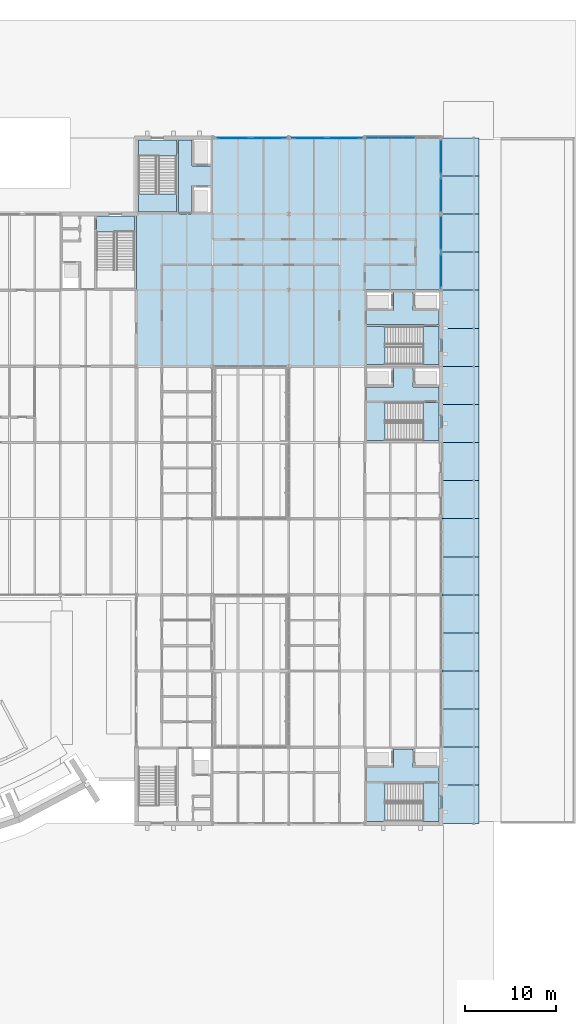
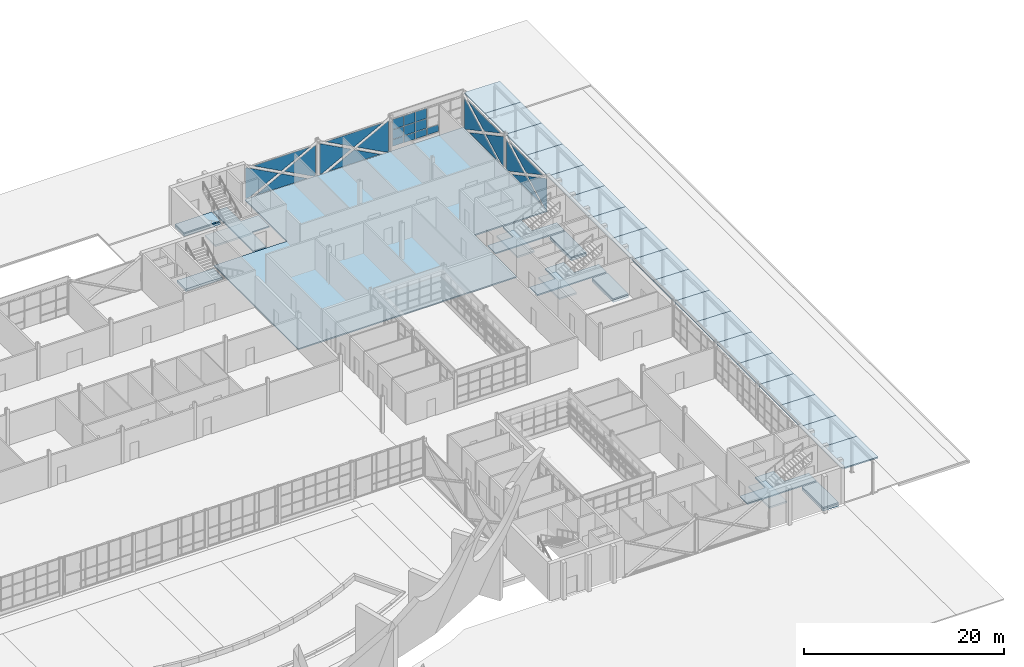
# One storey, part 80 of 116: 36 slabs, 26 plates, 9 elements without a shape of their own.
"""IFC4 building model written with IfcOpenShell, lengths in metres."""

from ifc_helpers import new_model, si_unit, direction, frame, origin, origin_2d, place, context, subcontext, project, spatial, polyline, rectangle, outline, extrude, material, layer, layer_set, type_object, element, aggregate, save


model = new_model("IFC4")

# Units and contexts
model_context = context("Model", 3, precision=1e-05, world=origin(), true_north=direction((0.0, 1.0)))
body_context = subcontext(model_context, "Body", "Model", "MODEL_VIEW")
ifc_project = project(units=[si_unit("LENGTHUNIT", "METRE"), si_unit("AREAUNIT", "SQUARE_METRE"), si_unit("VOLUMEUNIT", "CUBIC_METRE"), si_unit("PLANEANGLEUNIT", "RADIAN"), si_unit("MASSUNIT", "GRAM", prefix="KILO")], contexts=[model_context])

# Site, building, storey
site_placement = place(None, origin())
site = spatial("IfcSite", under=ifc_project, at=site_placement, CompositionType="ELEMENT")
building_placement = place(site_placement, origin())
building = spatial("IfcBuilding", under=site, at=building_placement, Name="Ardhachandra Cancer Care Centre", CompositionType="ELEMENT")
storey_placement = place(building_placement, origin())
storey = spatial("IfcBuildingStorey", under=building, at=storey_placement, Name="L00", CompositionType="ELEMENT", Elevation=0.0)

# Slabs
ifc_material_1 = material(Name="Concrete M30", Category="concrete")
ifc_layer_1 = layer(ifc_material_1, 0.14990234375)
ifc_layer_set_1 = layer_set([ifc_layer_1], Name="Concrete M30")
slab_type_1 = type_object("IfcSlabType", Name="Arcade roof deck 150", PredefinedType="ROOF", material=ifc_layer_set_1)
slab_1_placement = place(storey_placement, frame((145.300048828125, 29.39990234375, 4.2021484375), z_axis=(0.016671296778, 0.0, 0.999861024275), x_axis=(0.999861024275, 0.0, -0.016671296778)))
element("IfcSlab", 1, at=slab_1_placement, inside=storey, type_object=slab_type_1, Name="Arcade roof deck 1", PredefinedType="ROOF", context=body_context, shape_type="SweptSolid", body=[
    extrude(outline(polyline([(0.0, 0.0), (4.100423374937406, 0.0), (4.100423374937406, 4.2001953125), (0.0, 4.2001953125), (0.0, 0.0)])), origin(), (0.0, 0.0, -1.0), 0.14990234375),
])
for number, where, z_axis, x_axis, name in (
    (2, (145.300048828125, 33.60009765625, 4.2021484375), (0.016671296778, 0.0, 0.999861024275), (0.999861024275, 0.0, -0.016671296778), "Arcade roof deck 2"),
    (3, (145.300048828125, 37.800048828125, 4.2021484375), (0.016671296778, 0.0, 0.999861024275), (0.999861024275, 0.0, -0.016671296778), "Arcade roof deck 3"),
    (4, (145.300048828125, 42.0, 4.2021484375), (0.016671296778, 0.0, 0.999861024275), (0.999861024275, 0.0, -0.016671296778), "Arcade roof deck 4"),
    (5, (145.300048828125, 46.199951171875, 4.2021484375), (0.016671296778, 0.0, 0.999861024275), (0.999861024275, 0.0, -0.016671296778), "Arcade roof deck 5"),
):
    element("IfcSlab", number, at=place(storey_placement, frame(where, z_axis=z_axis, x_axis=x_axis)), inside=storey, type_object=slab_type_1, Name=name, PredefinedType="ROOF", context=body_context, shape_type="SweptSolid", body=[
        extrude(outline(polyline([(0.0, 0.0), (4.100423374937406, 0.0), (4.100423374937406, 4.199951171874999), (0.0, 4.199951171874999), (0.0, 0.0)])), origin(), (0.0, 0.0, -1.0), 0.14990234375),
    ])
slab_2_placement = place(storey_placement, frame((145.300048828125, 50.39990234375, 4.2021484375), z_axis=(0.016671296778, 0.0, 0.999861024275), x_axis=(0.999861024275, 0.0, -0.016671296778)))
element("IfcSlab", 6, at=slab_2_placement, inside=storey, type_object=slab_type_1, Name="Arcade roof deck 6", PredefinedType="ROOF", context=body_context, shape_type="SweptSolid", body=[
    extrude(outline(polyline([(0.0, 0.0), (4.100423374937406, 0.0), (4.100423374937406, 4.2001953125), (0.0, 4.2001953125), (0.0, 0.0)])), origin(), (0.0, 0.0, -1.0), 0.14990234375),
])
for number, where, z_axis, x_axis, name in (
    (7, (145.300048828125, 54.60009765625, 4.2021484375), (0.016671296778, 0.0, 0.999861024275), (0.999861024275, 0.0, -0.016671296778), "Arcade roof deck 7"),
    (8, (145.300048828125, 58.800048828125, 4.2021484375), (0.016671296778, 0.0, 0.999861024275), (0.999861024275, 0.0, -0.016671296778), "Arcade roof deck 8"),
    (9, (145.300048828125, 63.0, 4.2021484375), (0.016671296778, 0.0, 0.999861024275), (0.999861024275, 0.0, -0.016671296778), "Arcade roof deck 9"),
    (10, (145.300048828125, 67.199951171875, 4.2021484375), (0.016671296778, 0.0, 0.999861024275), (0.999861024275, 0.0, -0.016671296778), "Arcade roof deck 10"),
):
    element("IfcSlab", number, at=place(storey_placement, frame(where, z_axis=z_axis, x_axis=x_axis)), inside=storey, type_object=slab_type_1, Name=name, PredefinedType="ROOF", context=body_context, shape_type="SweptSolid", body=[
        extrude(outline(polyline([(0.0, 0.0), (4.100423374937406, 0.0), (4.100423374937406, 4.199951171874999), (0.0, 4.199951171874999), (0.0, 0.0)])), origin(), (0.0, 0.0, -1.0), 0.14990234375),
    ])
slab_3_placement = place(storey_placement, frame((145.300048828125, 71.39990234375, 4.2021484375), z_axis=(0.016671296778, 0.0, 0.999861024275), x_axis=(0.999861024275, 0.0, -0.016671296778)))
element("IfcSlab", 11, at=slab_3_placement, inside=storey, type_object=slab_type_1, Name="Arcade roof deck 11", PredefinedType="ROOF", context=body_context, shape_type="SweptSolid", body=[
    extrude(outline(polyline([(0.0, 0.0), (4.100423374937406, 0.0), (4.100423374937406, 4.2001953125), (0.0, 4.2001953125), (0.0, 0.0)])), origin(), (0.0, 0.0, -1.0), 0.14990234375),
])
for number, where, z_axis, x_axis, name in (
    (12, (145.300048828125, 75.60009765625, 4.2021484375), (0.016671296778, 0.0, 0.999861024275), (0.999861024275, 0.0, -0.016671296778), "Arcade roof deck 12"),
    (13, (145.300048828125, 79.800048828125, 4.2021484375), (0.016671296778, 0.0, 0.999861024275), (0.999861024275, 0.0, -0.016671296778), "Arcade roof deck 13"),
    (14, (145.300048828125, 84.0, 4.2021484375), (0.016671296778, 0.0, 0.999861024275), (0.999861024275, 0.0, -0.016671296778), "Arcade roof deck 14"),
    (15, (145.300048828125, 88.199951171875, 4.2021484375), (0.016671296778, 0.0, 0.999861024275), (0.999861024275, 0.0, -0.016671296778), "Arcade roof deck 15"),
):
    element("IfcSlab", number, at=place(storey_placement, frame(where, z_axis=z_axis, x_axis=x_axis)), inside=storey, type_object=slab_type_1, Name=name, PredefinedType="ROOF", context=body_context, shape_type="SweptSolid", body=[
        extrude(outline(polyline([(0.0, 0.0), (4.100423374937406, 0.0), (4.100423374937406, 4.199951171874999), (0.0, 4.199951171874999), (0.0, 0.0)])), origin(), (0.0, 0.0, -1.0), 0.14990234375),
    ])
slab_4_placement = place(storey_placement, frame((145.300048828125, 92.39990234375, 4.2021484375), z_axis=(0.016671296778, 0.0, 0.999861024275), x_axis=(0.999861024275, 0.0, -0.016671296778)))
element("IfcSlab", 16, at=slab_4_placement, inside=storey, type_object=slab_type_1, Name="Arcade roof deck 16", PredefinedType="ROOF", context=body_context, shape_type="SweptSolid", body=[
    extrude(outline(polyline([(0.0, 0.0), (4.100423374937406, 0.0), (4.100423374937406, 4.2001953125), (0.0, 4.2001953125), (0.0, 0.0)])), origin(), (0.0, 0.0, -1.0), 0.14990234375),
])
for number, where, z_axis, x_axis, name in (
    (17, (145.300048828125, 96.60009765625, 4.2021484375), (0.016671296778, 0.0, 0.999861024275), (0.999861024275, 0.0, -0.016671296778), "Arcade roof deck 17"),
    (18, (145.300048828125, 100.800048828125, 4.2021484375), (0.016671296778, 0.0, 0.999861024275), (0.999861024275, 0.0, -0.016671296778), "Arcade roof deck 18"),
):
    element("IfcSlab", number, at=place(storey_placement, frame(where, z_axis=z_axis, x_axis=x_axis)), inside=storey, type_object=slab_type_1, Name=name, PredefinedType="ROOF", context=body_context, shape_type="SweptSolid", body=[
        extrude(outline(polyline([(0.0, 0.0), (4.100423374937406, 0.0), (4.100423374937406, 4.199951171874999), (0.0, 4.199951171874999), (0.0, 0.0)])), origin(), (0.0, 0.0, -1.0), 0.14990234375),
    ])
ifc_material_2 = material(Name="Composite slab Concrete M30 on steel deck", Category="concrete")
ifc_layer_2 = layer(ifc_material_2, 0.14990234375)
ifc_layer_set_2 = layer_set([ifc_layer_2], Name="Composite slab Concrete M30 on steel deck")
slab_type_2 = type_object("IfcSlabType", Name="Composite floor slab 150", PredefinedType="FLOOR", material=ifc_layer_set_2)
slab_5_placement = place(storey_placement, frame((0.0, 0.0, -0.14990234375)))
element("IfcSlab", 19, at=slab_5_placement, inside=storey, type_object=slab_type_2, Name="Floor slab V5", PredefinedType="FLOOR", context=body_context, shape_type="SweptSolid", body=[
    extrude(outline(polyline([(120.0, 105.0), (120.0, 96.60009765625), (111.60009765625, 96.60009765625), (111.60009765625, 88.199951171875), (111.60009765625, 79.800048828125), (136.800048828125, 79.800048828125), (136.800048828125, 88.199951171875), (145.199951171875, 88.199951171875), (145.199951171875, 105.0), (120.0, 105.0)])), origin(), (0.0, 0.0, 1.0), 0.14990234375),
])
ifc_material_3 = material(Name="Concrete M40", Category="concrete")
ifc_layer_3 = layer(ifc_material_3, 0.14990234375)
ifc_layer_set_3 = layer_set([ifc_layer_3], Name="Concrete M40")
slab_type_3 = type_object("IfcSlabType", Name="Core floor slab 150", PredefinedType="FLOOR", material=ifc_layer_set_3)
slab_6_placement = place(storey_placement, frame((0.0, 0.0, -0.14990234375)))
element("IfcSlab", 20, at=slab_6_placement, inside=storey, type_object=slab_type_3, Name="Core floor slab K9 L00 1", PredefinedType="FLOOR", context=body_context, shape_type="SweptSolid", body=[
    extrude(outline(polyline([(143.199951171875, 29.625), (143.199951171875, 33.824951171875), (144.97509765625, 33.824951171875), (144.97509765625, 29.625), (143.199951171875, 29.625)])), origin(), (0.0, 0.0, 1.0), 0.14990234375),
])
slab_7_placement = place(storey_placement, frame((0.0, 0.0, -0.14990234375)))
element("IfcSlab", 21, at=slab_7_placement, inside=storey, type_object=slab_type_3, Name="Core floor slab K9 L00 2", PredefinedType="FLOOR", context=body_context, shape_type="SweptSolid", body=[
    extrude(outline(polyline([(137.0, 35.550048828125), (139.949951171875, 35.550048828125), (139.949951171875, 35.75), (139.949951171875, 37.60009765625), (142.125, 37.60009765625), (142.125, 35.75), (142.125, 35.550048828125), (144.97509765625, 35.550048828125), (144.97509765625, 34.02490234375), (137.0, 34.02490234375), (137.0, 35.550048828125)])), origin(), (0.0, 0.0, 1.0), 0.14990234375),
])
slab_8_placement = place(storey_placement, frame((0.0, 0.0, -0.14990234375)))
element("IfcSlab", 22, at=slab_8_placement, inside=storey, type_object=slab_type_3, Name="Core floor slab K10 L00 1", PredefinedType="FLOOR", context=body_context, shape_type="SweptSolid", body=[
    extrude(outline(polyline([(143.199951171875, 71.60009765625), (143.199951171875, 75.800048828125), (144.97509765625, 75.800048828125), (144.97509765625, 71.60009765625), (143.199951171875, 71.60009765625)])), origin(), (0.0, 0.0, 1.0), 0.14990234375),
])
slab_9_placement = place(storey_placement, frame((0.0, 0.0, -0.14990234375)))
element("IfcSlab", 23, at=slab_9_placement, inside=storey, type_object=slab_type_3, Name="Core floor slab K10 L00 2", PredefinedType="FLOOR", context=body_context, shape_type="SweptSolid", body=[
    extrude(outline(polyline([(137.0, 77.550048828125), (139.949951171875, 77.550048828125), (139.949951171875, 77.75), (139.949951171875, 79.60009765625), (142.125, 79.60009765625), (142.125, 77.75), (142.125, 77.550048828125), (144.97509765625, 77.550048828125), (144.97509765625, 76.0), (137.0, 76.0), (137.0, 77.550048828125)])), origin(), (0.0, 0.0, 1.0), 0.14990234375),
])
slab_10_placement = place(storey_placement, frame((0.0, 0.0, -0.14990234375)))
element("IfcSlab", 24, at=slab_10_placement, inside=storey, type_object=slab_type_3, Name="Core floor slab K12 L00 1", PredefinedType="FLOOR", context=body_context, shape_type="SweptSolid", body=[
    extrude(outline(polyline([(116.02490234375, 104.77490234375), (116.02490234375, 103.0), (111.824951171875, 103.0), (111.824951171875, 104.77490234375), (116.02490234375, 104.77490234375)])), origin(), (0.0, 0.0, 1.0), 0.14990234375),
])
slab_11_placement = place(storey_placement, frame((0.0, 0.0, -0.14990234375)))
element("IfcSlab", 25, at=slab_11_placement, inside=storey, type_object=slab_type_3, Name="Core floor slab K12 L00 2", PredefinedType="FLOOR", context=body_context, shape_type="SweptSolid", body=[
    extrude(outline(polyline([(117.75, 101.925048828125), (117.949951171875, 101.925048828125), (119.800048828125, 101.925048828125), (119.800048828125, 99.75), (117.949951171875, 99.75), (117.75, 99.75), (117.75, 96.800048828125), (116.22509765625, 96.800048828125), (116.22509765625, 104.77490234375), (117.75, 104.77490234375), (117.75, 101.925048828125)])), origin(), (0.0, 0.0, 1.0), 0.14990234375),
])
slab_12_placement = place(storey_placement, frame((0.0, 0.0, -0.14990234375)))
element("IfcSlab", 26, at=slab_12_placement, inside=storey, type_object=slab_type_3, Name="Core floor slab K13 L00 1", PredefinedType="FLOOR", context=body_context, shape_type="SweptSolid", body=[
    extrude(outline(polyline([(143.199951171875, 80.0), (143.199951171875, 84.199951171875), (144.97509765625, 84.199951171875), (144.97509765625, 80.0), (143.199951171875, 80.0)])), origin(), (0.0, 0.0, 1.0), 0.14990234375),
])
slab_13_placement = place(storey_placement, frame((0.0, 0.0, -0.14990234375)))
element("IfcSlab", 27, at=slab_13_placement, inside=storey, type_object=slab_type_3, Name="Core floor slab K13 L00 2", PredefinedType="FLOOR", context=body_context, shape_type="SweptSolid", body=[
    extrude(outline(polyline([(137.0, 85.949951171875), (139.949951171875, 85.949951171875), (139.949951171875, 86.14990234375), (139.949951171875, 88.0), (142.125, 88.0), (142.125, 86.14990234375), (142.125, 85.949951171875), (144.97509765625, 85.949951171875), (144.97509765625, 84.39990234375), (137.0, 84.39990234375), (137.0, 85.949951171875)])), origin(), (0.0, 0.0, 1.0), 0.14990234375),
])
ifc_material_4 = material(Name="Concrete M40", Category="concrete")
ifc_layer_4 = layer(ifc_material_4, 0.300048828125)
ifc_layer_set_4 = layer_set([ifc_layer_4], Name="Concrete M40")
slab_type_4 = type_object("IfcSlabType", Name="Core stair edge slab 300", PredefinedType="FLOOR", material=ifc_layer_set_4)
slab_14_placement = place(storey_placement, frame((0.0, 0.0, -0.449951171875)))
element("IfcSlab", 28, at=slab_14_placement, inside=storey, type_object=slab_type_4, Name="Core stair edge slab K7 L00", PredefinedType="FLOOR", context=body_context, shape_type="SweptSolid", body=[
    extrude(outline(polyline([(107.199951171875, 94.60009765625), (107.199951171875, 96.375), (111.39990234375, 96.375), (111.39990234375, 94.60009765625), (107.199951171875, 94.60009765625)])), origin(), (0.0, 0.0, 1.0), 0.300048828125),
])
slab_15_placement = place(storey_placement, frame((0.0, 0.0, -0.449951171875)))
element("IfcSlab", 29, at=slab_15_placement, inside=storey, type_object=slab_type_4, Name="Core stair edge slab K9 L00", PredefinedType="FLOOR", context=body_context, shape_type="SweptSolid", body=[
    extrude(outline(polyline([(143.199951171875, 33.824951171875), (144.97509765625, 33.824951171875), (144.97509765625, 29.625), (143.199951171875, 29.625), (143.199951171875, 33.824951171875)])), origin(), (0.0, 0.0, 1.0), 0.300048828125),
])
slab_16_placement = place(storey_placement, frame((0.0, 0.0, -0.449951171875)))
element("IfcSlab", 30, at=slab_16_placement, inside=storey, type_object=slab_type_4, Name="Core stair edge slab K10 L00", PredefinedType="FLOOR", context=body_context, shape_type="SweptSolid", body=[
    extrude(outline(polyline([(143.199951171875, 75.800048828125), (144.97509765625, 75.800048828125), (144.97509765625, 71.60009765625), (143.199951171875, 71.60009765625), (143.199951171875, 75.800048828125)])), origin(), (0.0, 0.0, 1.0), 0.300048828125),
])
slab_17_placement = place(storey_placement, frame((0.0, 0.0, -0.449951171875)))
element("IfcSlab", 31, at=slab_17_placement, inside=storey, type_object=slab_type_4, Name="Core stair edge slab K12 L00", PredefinedType="FLOOR", context=body_context, shape_type="SweptSolid", body=[
    extrude(outline(polyline([(111.824951171875, 104.77490234375), (116.02490234375, 104.77490234375), (116.02490234375, 103.0), (111.824951171875, 103.0), (111.824951171875, 104.77490234375)])), origin(), (0.0, 0.0, 1.0), 0.300048828125),
])
slab_18_placement = place(storey_placement, frame((0.0, 0.0, -0.449951171875)))
element("IfcSlab", 32, at=slab_18_placement, inside=storey, type_object=slab_type_4, Name="Core stair edge slab K13 L00", PredefinedType="FLOOR", context=body_context, shape_type="SweptSolid", body=[
    extrude(outline(polyline([(143.199951171875, 84.199951171875), (144.97509765625, 84.199951171875), (144.97509765625, 80.0), (143.199951171875, 80.0), (143.199951171875, 84.199951171875)])), origin(), (0.0, 0.0, 1.0), 0.300048828125),
])

# Curtain wall, plates
ifc_material_5 = material(Name="Aluminium extrusion", Category="aluminium")
ifc_layer_5 = layer(ifc_material_5, 0.14990234375)
ifc_layer_set_5 = layer_set([ifc_layer_5], Name="Aluminium extrusion")
curtain_wall_type = type_object("IfcCurtainWallType", Name="Curtain wall run", PredefinedType="NOTDEFINED", material=ifc_layer_set_5)
curtain_wall_1_placement = place(storey_placement, origin())
curtain_wall_1 = element("IfcCurtainWall", 33, at=curtain_wall_1_placement, inside=storey, type_object=curtain_wall_type, Name="Curtain wall L00 e/0145200_0088200", PredefinedType="NOTDEFINED")
ifc_material_6 = material(Name="Low-iron double-glazed unit")
ifc_layer_6 = layer(ifc_material_6, 0.028076171875)
ifc_layer_set_6 = layer_set([ifc_layer_6], Name="Low-iron double-glazed unit")
plate_type_1 = type_object("IfcPlateType", Name="Curtain wall glazing 28", PredefinedType="CURTAIN_PANEL", material=ifc_layer_set_6)
plate_1_placement = place(storey_placement, frame((145.199951171875, 96.35791015625, 0.06005859375), z_axis=(-1.0, 0.0, 0.0), x_axis=(0.0, -1.0, 0.0)))
plate_1 = element("IfcPlate", 34, at=plate_1_placement, type_object=plate_type_1, Name="CW panel 1.1", PredefinedType="CURTAIN_PANEL", context=body_context, shape_type="SweptSolid", body=[
    extrude(outline(polyline([(0.0, 0.0), (0.271484375, 0.0), (3.61279296875, 1.7900390625), (0.0, 3.725341796875), (0.0, 0.0)])), origin(), (0.0, 0.0, 1.0), 0.028076171875),
])
plate_2_placement = place(storey_placement, frame((145.199951171875, 95.67626953125, 3.7900390625), z_axis=(-1.0, 0.0, 0.0), x_axis=(0.0, -0.881487781758, -0.472206830332)))
plate_2 = element("IfcPlate", 35, at=plate_2_placement, type_object=plate_type_1, Name="CW panel 1.1", PredefinedType="CURTAIN_PANEL", context=body_context, shape_type="SweptSolid", body=[
    extrude(outline(polyline([(0.0, 0.0), (3.716796875, 0.0), (5.77587890625, 3.09423828125), (0.0, 0.0)])), frame((0.0, 0.0, -0.028076171875)), (0.0, 0.0, 1.0), 0.028076171875),
])
plate_3_placement = place(storey_placement, frame((145.199951171875, 88.260009765625, 0.06005859375), z_axis=(-1.0, 0.0, 0.0), x_axis=(0.0, 0.0, 1.0)))
plate_3 = element("IfcPlate", 36, at=plate_3_placement, type_object=plate_type_1, Name="CW panel 1.1", PredefinedType="CURTAIN_PANEL", context=body_context, shape_type="SweptSolid", body=[
    extrude(outline(polyline([(0.0, 0.0), (3.72998046875, 0.0), (3.72998046875, 0.173583984375), (1.7900390625, 3.794921875), (0.0, 0.45361328125), (0.0, 0.0)])), origin(), (0.0, 0.0, 1.0), 0.028076171875),
])
plate_4_placement = place(storey_placement, frame((145.199951171875, 89.40380859375, 0.06005859375), z_axis=(-1.0, 0.0, 0.0), x_axis=(0.0, 0.88148851251, 0.472205466203)))
plate_4 = element("IfcPlate", 37, at=plate_4_placement, type_object=plate_type_1, Name="CW panel 1.1", PredefinedType="CURTAIN_PANEL", context=body_context, shape_type="SweptSolid", body=[
    extrude(outline(polyline([(0.0, 0.0), (3.39892578125, 0.0), (5.2822265625, 2.82958984375), (0.0, 0.0)])), frame((0.0, 0.0, -0.028076171875)), (0.0, 0.0, 1.0), 0.028076171875),
])
aggregate(curtain_wall_1, [plate_1, plate_2, plate_3, plate_4])

curtain_wall_2_placement = place(storey_placement, origin())
curtain_wall_2 = element("IfcCurtainWall", 38, at=curtain_wall_2_placement, inside=storey, type_object=curtain_wall_type, Name="Curtain wall L00 e/0145200_0096600", PredefinedType="NOTDEFINED")
plate_5_placement = place(storey_placement, frame((145.199951171875, 104.758056640625, 0.06005859375), z_axis=(-1.0, 0.0, 0.0), x_axis=(0.0, -1.0, 0.0)))
plate_5 = element("IfcPlate", 39, at=plate_5_placement, type_object=plate_type_1, Name="CW panel 1.1", PredefinedType="CURTAIN_PANEL", context=body_context, shape_type="SweptSolid", body=[
    extrude(outline(polyline([(0.0, 0.0), (0.271728515625, 0.0), (3.613037109375, 1.7900390625), (0.0, 3.725341796875), (0.0, 0.0)])), origin(), (0.0, 0.0, 1.0), 0.028076171875),
])
plate_6_placement = place(storey_placement, frame((145.199951171875, 104.076171875, 3.7900390625), z_axis=(-1.0, 0.0, 0.0), x_axis=(0.0, -0.881473134172, -0.472234172559)))
plate_6 = element("IfcPlate", 40, at=plate_6_placement, type_object=plate_type_1, Name="CW panel 1.1", PredefinedType="CURTAIN_PANEL", context=body_context, shape_type="SweptSolid", body=[
    extrude(outline(polyline([(0.0, 0.0), (3.716552734375, 0.0), (5.77587890625, 3.09423828125), (0.0, 0.0)])), frame((0.0, 0.0, -0.028076171875)), (0.0, 0.0, 1.0), 0.028076171875),
])
plate_7_placement = place(storey_placement, frame((145.199951171875, 96.842041015625, 0.06005859375), z_axis=(-1.0, 0.0, 0.0), x_axis=(0.0, 0.0, 1.0)))
plate_7 = element("IfcPlate", 41, at=plate_7_placement, type_object=plate_type_1, Name="CW panel 1.1", PredefinedType="CURTAIN_PANEL", context=body_context, shape_type="SweptSolid", body=[
    extrude(outline(polyline([(0.0, 0.0), (3.725341796875, 0.0), (1.7900390625, 3.61279296875), (0.0, 0.271484375), (0.0, 0.0)])), origin(), (0.0, 0.0, 1.0), 0.028076171875),
])
plate_8_placement = place(storey_placement, frame((145.199951171875, 97.8037109375, 0.06005859375), z_axis=(-1.0, 0.0, 0.0), x_axis=(0.0, 0.881504527331, 0.472175569354)))
plate_8 = element("IfcPlate", 42, at=plate_8_placement, type_object=plate_type_1, Name="CW panel 1.1", PredefinedType="CURTAIN_PANEL", context=body_context, shape_type="SweptSolid", body=[
    extrude(outline(polyline([(0.0, 0.0), (3.399169921875, 0.0), (5.282470703125, 2.82958984375), (0.0, 0.0)])), frame((0.0, 0.0, -0.028076171875)), (0.0, 0.0, 1.0), 0.028076171875),
])
aggregate(curtain_wall_2, [plate_5, plate_6, plate_7, plate_8])

curtain_wall_3_placement = place(storey_placement, origin())
curtain_wall_3 = element("IfcCurtainWall", 43, at=curtain_wall_3_placement, inside=storey, type_object=curtain_wall_type, Name="Curtain wall L00 n/0120000_0105000", PredefinedType="NOTDEFINED")
plate_9_placement = place(storey_placement, frame((128.154541015625, 105.0, 0.06005859375), z_axis=(0.0, 1.0, 0.0), x_axis=(-1.0, 0.0, 0.0)))
plate_9 = element("IfcPlate", 44, at=plate_9_placement, type_object=plate_type_1, Name="CW panel 1.1", PredefinedType="CURTAIN_PANEL", context=body_context, shape_type="SweptSolid", body=[
    extrude(outline(polyline([(0.0, 0.0), (0.26806640625, 0.0), (3.609375, 1.7900390625), (0.0, 3.7236328125), (0.0, 0.0)])), origin(), (0.0, 0.0, 1.0), 0.028076171875),
])
plate_10_placement = place(storey_placement, frame((127.476318359375, 105.0, 3.7900390625), z_axis=(0.0, 1.0, 0.0), x_axis=(-0.881487781758, 0.0, -0.472206830332)))
plate_10 = element("IfcPlate", 45, at=plate_10_placement, type_object=plate_type_1, Name="CW panel 1.1", PredefinedType="CURTAIN_PANEL", context=body_context, shape_type="SweptSolid", body=[
    extrude(outline(polyline([(0.0, 0.0), (3.716796875, 0.0), (5.77587890625, 3.09423828125), (0.0, 0.0)])), frame((0.0, 0.0, -0.028076171875)), (0.0, 0.0, 1.0), 0.028076171875),
])
plate_11_placement = place(storey_placement, frame((120.06005859375, 105.0, 0.06005859375), z_axis=(0.0, 1.0, 0.0), x_axis=(0.0, 0.0, 1.0)))
plate_11 = element("IfcPlate", 46, at=plate_11_placement, type_object=plate_type_1, Name="CW panel 1.1", PredefinedType="CURTAIN_PANEL", context=body_context, shape_type="SweptSolid", body=[
    extrude(outline(polyline([(0.0, 0.0), (3.72998046875, 0.0), (3.72998046875, 0.173583984375), (1.7900390625, 3.794921875), (0.0, 0.45361328125), (0.0, 0.0)])), origin(), (0.0, 0.0, 1.0), 0.028076171875),
])
plate_12_placement = place(storey_placement, frame((121.203857421875, 105.0, 0.06005859375), z_axis=(0.0, 1.0, 0.0), x_axis=(0.88148851251, 0.0, 0.472205466203)))
plate_12 = element("IfcPlate", 47, at=plate_12_placement, type_object=plate_type_1, Name="CW panel 1.1", PredefinedType="CURTAIN_PANEL", context=body_context, shape_type="SweptSolid", body=[
    extrude(outline(polyline([(0.0, 0.0), (3.39892578125, 0.0), (5.2822265625, 2.82958984375), (0.0, 0.0)])), frame((0.0, 0.0, -0.028076171875)), (0.0, 0.0, 1.0), 0.028076171875),
])
aggregate(curtain_wall_3, [plate_9, plate_10, plate_11, plate_12])

curtain_wall_4_placement = place(storey_placement, origin())
curtain_wall_4 = element("IfcCurtainWall", 48, at=curtain_wall_4_placement, inside=storey, type_object=curtain_wall_type, Name="Curtain wall L00 n/0128400_0105000", PredefinedType="NOTDEFINED")
plate_13_placement = place(storey_placement, frame((136.554443359375, 105.0, 0.06005859375), z_axis=(0.0, 1.0, 0.0), x_axis=(-1.0, 0.0, 0.0)))
plate_13 = element("IfcPlate", 49, at=plate_13_placement, type_object=plate_type_1, Name="CW panel 1.1", PredefinedType="CURTAIN_PANEL", context=body_context, shape_type="SweptSolid", body=[
    extrude(outline(polyline([(0.0, 0.0), (0.26806640625, 0.0), (3.609375, 1.7900390625), (0.0, 3.7236328125), (0.0, 0.0)])), origin(), (0.0, 0.0, 1.0), 0.028076171875),
])
plate_14_placement = place(storey_placement, frame((135.876220703125, 105.0, 3.7900390625), z_axis=(0.0, 1.0, 0.0), x_axis=(-0.881473134172, 0.0, -0.472234172559)))
plate_14 = element("IfcPlate", 50, at=plate_14_placement, type_object=plate_type_1, Name="CW panel 1.1", PredefinedType="CURTAIN_PANEL", context=body_context, shape_type="SweptSolid", body=[
    extrude(outline(polyline([(0.0, 0.0), (3.716552734375, 0.0), (5.77587890625, 3.09423828125), (0.0, 0.0)])), frame((0.0, 0.0, -0.028076171875)), (0.0, 0.0, 1.0), 0.028076171875),
])
plate_15_placement = place(storey_placement, frame((128.6455078125, 105.0, 0.06005859375), z_axis=(0.0, 1.0, 0.0), x_axis=(0.0, 0.0, 1.0)))
plate_15 = element("IfcPlate", 51, at=plate_15_placement, type_object=plate_type_1, Name="CW panel 1.1", PredefinedType="CURTAIN_PANEL", context=body_context, shape_type="SweptSolid", body=[
    extrude(outline(polyline([(0.0, 0.0), (3.7236328125, 0.0), (1.7900390625, 3.609375), (0.0, 0.26806640625), (0.0, 0.0)])), origin(), (0.0, 0.0, 1.0), 0.028076171875),
])
plate_16_placement = place(storey_placement, frame((129.603759765625, 105.0, 0.06005859375), z_axis=(0.0, 1.0, 0.0), x_axis=(0.881504527331, 0.0, 0.472175569354)))
plate_16 = element("IfcPlate", 52, at=plate_16_placement, type_object=plate_type_1, Name="CW panel 1.1", PredefinedType="CURTAIN_PANEL", context=body_context, shape_type="SweptSolid", body=[
    extrude(outline(polyline([(0.0, 0.0), (3.399169921875, 0.0), (5.282470703125, 2.82958984375), (0.0, 0.0)])), frame((0.0, 0.0, -0.028076171875)), (0.0, 0.0, 1.0), 0.028076171875),
])
aggregate(curtain_wall_4, [plate_13, plate_14, plate_15, plate_16])

curtain_wall_5_placement = place(storey_placement, origin())
curtain_wall_5 = element("IfcCurtainWall", 53, at=curtain_wall_5_placement, inside=storey, type_object=curtain_wall_type, Name="Curtain wall L00 n/0136800_0105000", PredefinedType="NOTDEFINED")
plate_17_placement = place(storey_placement, frame((137.669677734375, 105.0, 1.3798828125), z_axis=(0.0, 0.0, 1.0), x_axis=(1.0, 0.0, 0.0)))
plate_17 = element("IfcPlate", 54, at=plate_17_placement, type_object=plate_type_1, Name="CW panel 1.2", PredefinedType="CURTAIN_PANEL", context=body_context, shape_type="SweptSolid", body=[
    extrude(rectangle(XDim=1.248046875, YDim=0.028076171875, at=origin_2d()), origin(), (0.0, 0.0, 1.0), 1.139892578125),
])
plate_18_placement = place(storey_placement, frame((137.669677734375, 105.0, 2.580078125), z_axis=(0.0, 0.0, 1.0), x_axis=(1.0, 0.0, 0.0)))
plate_18 = element("IfcPlate", 55, at=plate_18_placement, type_object=plate_type_1, Name="CW panel 1.3", PredefinedType="CURTAIN_PANEL", context=body_context, shape_type="SweptSolid", body=[
    extrude(rectangle(XDim=1.248046875, YDim=0.028076171875, at=origin_2d()), origin(), (0.0, 0.0, 1.0), 1.2099609375),
])
plate_19_placement = place(storey_placement, frame((138.99267578125, 105.0, 1.3798828125), z_axis=(0.0, 0.0, 1.0), x_axis=(1.0, 0.0, 0.0)))
plate_19 = element("IfcPlate", 56, at=plate_19_placement, type_object=plate_type_1, Name="CW panel 2.2", PredefinedType="CURTAIN_PANEL", context=body_context, shape_type="SweptSolid", body=[
    extrude(rectangle(XDim=1.278076171875, YDim=0.028076171875, at=origin_2d()), origin(), (0.0, 0.0, 1.0), 1.139892578125),
])
plate_20_placement = place(storey_placement, frame((138.99267578125, 105.0, 2.580078125), z_axis=(0.0, 0.0, 1.0), x_axis=(1.0, 0.0, 0.0)))
plate_20 = element("IfcPlate", 57, at=plate_20_placement, type_object=plate_type_1, Name="CW panel 2.3", PredefinedType="CURTAIN_PANEL", context=body_context, shape_type="SweptSolid", body=[
    extrude(rectangle(XDim=1.278076171875, YDim=0.028076171875, at=origin_2d()), origin(), (0.0, 0.0, 1.0), 1.2099609375),
])
plate_21_placement = place(storey_placement, frame((140.330810546875, 105.0, 1.3798828125), z_axis=(0.0, 0.0, 1.0), x_axis=(1.0, 0.0, 0.0)))
plate_21 = element("IfcPlate", 58, at=plate_21_placement, type_object=plate_type_1, Name="CW panel 3.2", PredefinedType="CURTAIN_PANEL", context=body_context, shape_type="SweptSolid", body=[
    extrude(rectangle(XDim=1.278076171875, YDim=0.028076171875, at=origin_2d()), origin(), (0.0, 0.0, 1.0), 1.139892578125),
])
plate_22_placement = place(storey_placement, frame((140.330810546875, 105.0, 2.580078125), z_axis=(0.0, 0.0, 1.0), x_axis=(1.0, 0.0, 0.0)))
plate_22 = element("IfcPlate", 59, at=plate_22_placement, type_object=plate_type_1, Name="CW panel 3.3", PredefinedType="CURTAIN_PANEL", context=body_context, shape_type="SweptSolid", body=[
    extrude(rectangle(XDim=1.278076171875, YDim=0.028076171875, at=origin_2d()), origin(), (0.0, 0.0, 1.0), 1.2099609375),
])
ifc_material_7 = material(Name="Aluminium composite spandrel panel", Category="aluminium")
ifc_layer_7 = layer(ifc_material_7, 0.028076171875)
ifc_layer_set_7 = layer_set([ifc_layer_7], Name="Aluminium composite spandrel panel")
plate_type_2 = type_object("IfcPlateType", Name="Curtain wall spandrel panel 28", PredefinedType="CURTAIN_PANEL", material=ifc_layer_set_7)
plate_23_placement = place(storey_placement, frame((137.669677734375, 105.0, 0.510009765625), z_axis=(0.0, 0.0, 1.0), x_axis=(1.0, 0.0, 0.0)))
plate_23 = element("IfcPlate", 60, at=plate_23_placement, type_object=plate_type_2, Name="CW panel 1.1", PredefinedType="CURTAIN_PANEL", context=body_context, shape_type="SweptSolid", body=[
    extrude(rectangle(XDim=1.248046875, YDim=0.028076171875, at=origin_2d()), origin(), (0.0, 0.0, 1.0), 0.81005859375),
])
plate_24_placement = place(storey_placement, frame((138.99267578125, 105.0, 0.510009765625), z_axis=(0.0, 0.0, 1.0), x_axis=(1.0, 0.0, 0.0)))
plate_24 = element("IfcPlate", 61, at=plate_24_placement, type_object=plate_type_2, Name="CW panel 2.1", PredefinedType="CURTAIN_PANEL", context=body_context, shape_type="SweptSolid", body=[
    extrude(rectangle(XDim=1.278076171875, YDim=0.028076171875, at=origin_2d()), origin(), (0.0, 0.0, 1.0), 0.81005859375),
])
plate_25_placement = place(storey_placement, frame((140.330810546875, 105.0, 0.510009765625), z_axis=(0.0, 0.0, 1.0), x_axis=(1.0, 0.0, 0.0)))
plate_25 = element("IfcPlate", 62, at=plate_25_placement, type_object=plate_type_2, Name="CW panel 3.1", PredefinedType="CURTAIN_PANEL", context=body_context, shape_type="SweptSolid", body=[
    extrude(rectangle(XDim=1.278076171875, YDim=0.028076171875, at=origin_2d()), origin(), (0.0, 0.0, 1.0), 0.81005859375),
])
plate_26_placement = place(storey_placement, frame((141.669189453125, 105.0, 0.510009765625), z_axis=(0.0, 0.0, 1.0), x_axis=(1.0, 0.0, 0.0)))
plate_26 = element("IfcPlate", 63, at=plate_26_placement, type_object=plate_type_2, Name="CW panel 4.1", PredefinedType="CURTAIN_PANEL", context=body_context, shape_type="SweptSolid", body=[
    extrude(rectangle(XDim=1.278076171875, YDim=0.028076171875, at=origin_2d()), origin(), (0.0, 0.0, 1.0), 0.81005859375),
])
aggregate(curtain_wall_5, [plate_23, plate_17, plate_18, plate_24, plate_19, plate_20, plate_25, plate_21, plate_22, plate_26])

# Stair, slab
ifc_material_8 = material(Name="Concrete M40", Category="concrete")
stair_type = type_object("IfcStairType", Name="Dog-leg stair 2000", PredefinedType="HALF_TURN_STAIR", material=ifc_material_8)
stair_1_placement = place(storey_placement, origin())
stair_1 = element("IfcStair", 64, at=stair_1_placement, inside=storey, type_object=stair_type, Name="Stair K9 L00-L01", PredefinedType="HALF_TURN_STAIR")
ifc_material_9 = material(Name="Concrete M40", Category="concrete")
ifc_layer_8 = layer(ifc_material_9, 0.199951171875)
ifc_layer_set_8 = layer_set([ifc_layer_8], Name="Concrete M40")
slab_type_5 = type_object("IfcSlabType", Name="Stair landing 200", PredefinedType="LANDING", material=ifc_layer_set_8)
slab_19_placement = place(storey_placement, frame((0.0, 0.0, 2.050048828125)))
slab_19 = element("IfcSlab", 65, at=slab_19_placement, type_object=slab_type_5, Name="stair K9 L00-L01 landing 1", PredefinedType="LANDING", context=body_context, shape_type="SweptSolid", body=[
    extrude(outline(polyline([(137.0, 29.625), (139.0, 29.625), (139.0, 33.824951171875), (137.0, 33.824951171875), (137.0, 29.625)])), origin(), (0.0, 0.0, 1.0), 0.199951171875),
])
aggregate(stair_1, [slab_19])

stair_2_placement = place(storey_placement, origin())
stair_2 = element("IfcStair", 66, at=stair_2_placement, inside=storey, type_object=stair_type, Name="Stair K10 L00-L01", PredefinedType="HALF_TURN_STAIR")
slab_20_placement = place(storey_placement, frame((0.0, 0.0, 2.050048828125)))
slab_20 = element("IfcSlab", 67, at=slab_20_placement, type_object=slab_type_5, Name="stair K10 L00-L01 landing 1", PredefinedType="LANDING", context=body_context, shape_type="SweptSolid", body=[
    extrude(outline(polyline([(137.0, 71.60009765625), (139.0, 71.60009765625), (139.0, 75.800048828125), (137.0, 75.800048828125), (137.0, 71.60009765625)])), origin(), (0.0, 0.0, 1.0), 0.199951171875),
])
aggregate(stair_2, [slab_20])

stair_3_placement = place(storey_placement, origin())
stair_3 = element("IfcStair", 68, at=stair_3_placement, inside=storey, type_object=stair_type, Name="Stair K12 L00-L01", PredefinedType="HALF_TURN_STAIR")
slab_21_placement = place(storey_placement, frame((0.0, 0.0, 2.050048828125)))
slab_21 = element("IfcSlab", 69, at=slab_21_placement, type_object=slab_type_5, Name="stair K12 L00-L01 landing 1", PredefinedType="LANDING", context=body_context, shape_type="SweptSolid", body=[
    extrude(outline(polyline([(111.824951171875, 96.800048828125), (116.02490234375, 96.800048828125), (116.02490234375, 98.800048828125), (111.824951171875, 98.800048828125), (111.824951171875, 96.800048828125)])), origin(), (0.0, 0.0, 1.0), 0.199951171875),
])
aggregate(stair_3, [slab_21])

stair_4_placement = place(storey_placement, origin())
stair_4 = element("IfcStair", 70, at=stair_4_placement, inside=storey, type_object=stair_type, Name="Stair K13 L00-L01", PredefinedType="HALF_TURN_STAIR")
slab_22_placement = place(storey_placement, frame((0.0, 0.0, 2.050048828125)))
slab_22 = element("IfcSlab", 71, at=slab_22_placement, type_object=slab_type_5, Name="stair K13 L00-L01 landing 1", PredefinedType="LANDING", context=body_context, shape_type="SweptSolid", body=[
    extrude(outline(polyline([(137.0, 80.0), (139.0, 80.0), (139.0, 84.199951171875), (137.0, 84.199951171875), (137.0, 80.0)])), origin(), (0.0, 0.0, 1.0), 0.199951171875),
])
aggregate(stair_4, [slab_22])

save(model, "model.ifc")
